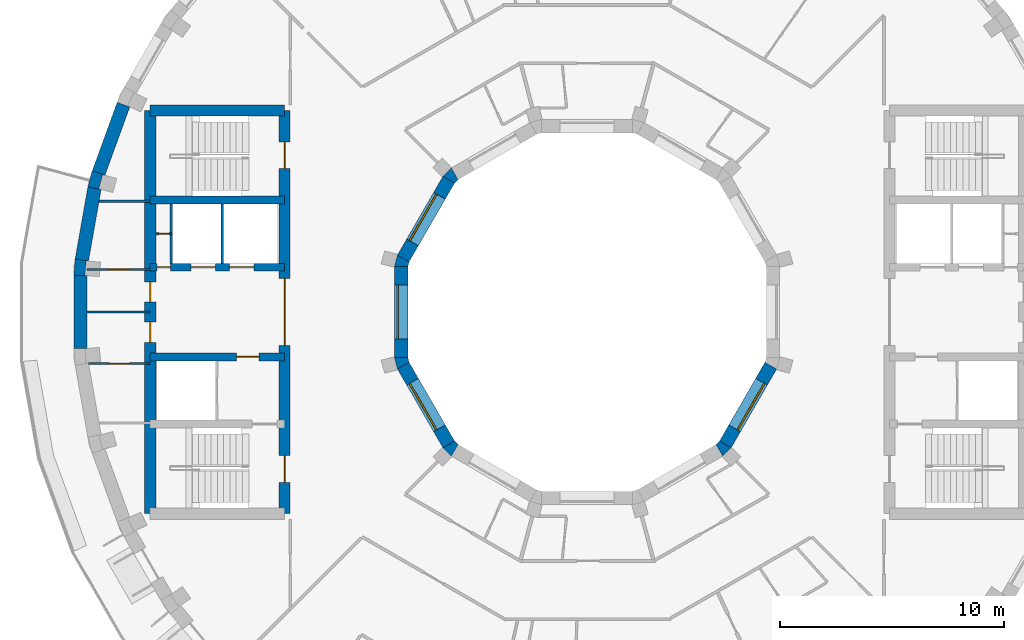
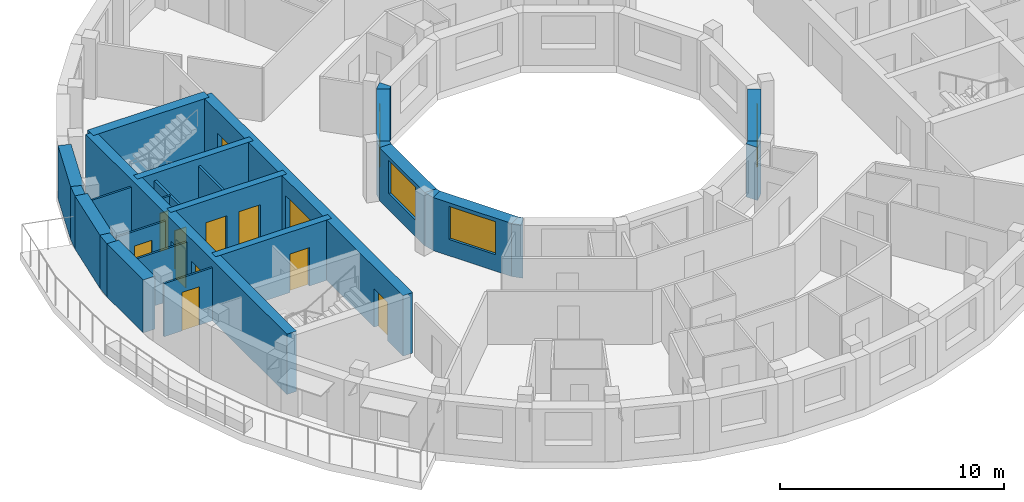
# One storey, part 4 of 10: 27 walls, 12 doors, 4 windows, 16 openings.
"""IFC4 building model written with IfcOpenShell, lengths in metres."""

import ifcopenshell
import ifcopenshell.guid

model = None  # the IFC model being written
_history = None  # IfcOwnerHistory: only IFC2X3 demands one
_inside = {}  # id of a spatial element -> (the spatial element, [elements in it])
_under = {}  # id of a project, library or spatial element -> (it, [spatial elements below it])
_declared = {}  # id of a project -> (the project, [libraries it declares])
_typed = {}  # id of a type object -> (the type object, [elements of that type])
_made_of = {}  # id of a material, layer set ... -> (it, [elements and type objects made of it])


def new_model(schema):
    """Start an empty IFC model of exactly this schema.

    Asked for "IFC4X3", IfcOpenShell would pick the latest addendum, in which some entities
    have other attributes; the version numbers below select the first issue.
    IFC2X3 requires an IfcOwnerHistory on every rooted entity: one is made here for all.
    """
    global model, _history
    if schema == "IFC4X3":
        model = ifcopenshell.file(schema_version=(4, 3, 0, 0))
    else:
        model = ifcopenshell.file(schema=schema)
    _inside.clear()
    _under.clear()
    _declared.clear()
    _typed.clear()
    _made_of.clear()
    _history = None
    if model.schema == "IFC2X3":
        org = make("IfcOrganization", Name="unknown")
        user = make(
            "IfcPersonAndOrganization",
            ThePerson=make("IfcPerson", FamilyName="unknown"),
            TheOrganization=org,
        )
        app = make(
            "IfcApplication",
            ApplicationDeveloper=org,
            Version="unknown",
            ApplicationFullName="unknown",
            ApplicationIdentifier="unknown",
        )
        _history = make(
            "IfcOwnerHistory",
            OwningUser=user,
            OwningApplication=app,
            ChangeAction="ADDED",
            CreationDate=0,
        )
    return model


def make(cls, **values):
    """One entity of the class cls with the attributes given. An attribute that is None is left unset."""
    return model.create_entity(
        cls, **{name: value for name, value in values.items() if value is not None}
    )


def rooted(cls, **values):
    """An entity with a GlobalId (a new one), such as an element, a storey or a relation."""
    return make(cls, GlobalId=ifcopenshell.guid.new(), OwnerHistory=_history, **values)


def si_unit(unit_type, name, prefix=None):
    """IfcSIUnit, for example si_unit("LENGTHUNIT", "METRE", prefix="MILLI")."""
    return make("IfcSIUnit", UnitType=unit_type, Prefix=prefix, Name=name)


def assignment(units):
    """IfcUnitAssignment: the units of a project."""
    return None if units is None else make("IfcUnitAssignment", Units=units)


def point(xyz):
    """IfcCartesianPoint."""
    return None if xyz is None else make("IfcCartesianPoint", Coordinates=xyz)


def direction(xyz):
    """IfcDirection."""
    return None if xyz is None else make("IfcDirection", DirectionRatios=xyz)


def frame(location, z_axis=None, x_axis=None):
    """IfcAxis2Placement3D, a coordinate frame: its origin and axes. An axis left out is left unset."""
    return make(
        "IfcAxis2Placement3D",
        Location=point(location),
        Axis=direction(z_axis),
        RefDirection=direction(x_axis),
    )


def frame_2d(location, x_axis=None):
    """IfcAxis2Placement2D, a coordinate frame in the plane: its origin and x axis."""
    return make(
        "IfcAxis2Placement2D", Location=point(location), RefDirection=direction(x_axis)
    )


def origin():
    """The frame at (0, 0, 0) with its axes left unset."""
    return frame((0.0, 0.0, 0.0))


def place(relative_to, where):
    """IfcLocalPlacement: puts the frame where relative to a parent placement (None: the world)."""
    return make(
        "IfcLocalPlacement", PlacementRelTo=relative_to, RelativePlacement=where
    )


def context(
    kind, dimensions, precision=None, world=None, true_north=None, identifier=None
):
    """IfcGeometricRepresentationContext, for example the 3D "Model" context."""
    return make(
        "IfcGeometricRepresentationContext",
        ContextIdentifier=identifier,
        ContextType=kind,
        CoordinateSpaceDimension=dimensions,
        Precision=precision,
        WorldCoordinateSystem=world,
        TrueNorth=true_north,
    )


def subcontext(parent, identifier, kind, view, scale=None):
    """IfcGeometricRepresentationSubContext, for example "Body" below "Model"."""
    return make(
        "IfcGeometricRepresentationSubContext",
        ContextIdentifier=identifier,
        ContextType=kind,
        ParentContext=parent,
        TargetScale=scale,
        TargetView=view,
    )


def project(units=None, contexts=None):
    """IfcProject with its units and contexts."""
    return rooted(
        "IfcProject",
        Name="project",
        RepresentationContexts=contexts,
        UnitsInContext=assignment(units),
    )


def spatial(cls, under=None, at=None, **own):
    """A site, building, storey or space (cls), placed at a placement, below another one or the project."""
    s = rooted(cls, ObjectPlacement=at, **own)
    if under is not None:
        _under.setdefault(under.id(), (under, []))[1].append(s)
    return s


def polyline(points):
    """IfcPolyline through the points."""
    return make("IfcPolyline", Points=[point(p) for p in points])


def profile(cls, at=None, kind="AREA", **sizes):
    """A parametric profile (cls). Its sizes go by their IFC names, for example OverallWidth=200.0."""
    return make(cls, ProfileType=kind, Position=at, **sizes)


def rectangle(**sizes):
    """IfcRectangleProfileDef."""
    return profile("IfcRectangleProfileDef", **sizes)


def outline(outer, holes=None, kind="AREA"):
    """IfcArbitraryClosedProfileDef: a profile drawn as a closed curve; with holes, ...WithVoids."""
    if holes is None:
        return make("IfcArbitraryClosedProfileDef", ProfileType=kind, OuterCurve=outer)
    return make(
        "IfcArbitraryProfileDefWithVoids",
        ProfileType=kind,
        OuterCurve=outer,
        InnerCurves=holes,
    )


def extrude(swept, where, along, depth):
    """IfcExtrudedAreaSolid: the profile swept, set in the frame where, extruded along a direction by depth."""
    return make(
        "IfcExtrudedAreaSolid",
        SweptArea=swept,
        Position=where,
        ExtrudedDirection=direction(along),
        Depth=depth,
    )


def shape(context_of_items, identifier, shape_type, items):
    """IfcShapeRepresentation: the items that make up one representation, for example the "Body"."""
    return make(
        "IfcShapeRepresentation",
        ContextOfItems=context_of_items,
        RepresentationIdentifier=identifier,
        RepresentationType=shape_type,
        Items=items,
    )


def material(Name=None, Category=None):
    """IfcMaterial."""
    return make("IfcMaterial", Name=Name, Category=Category)


def layer(
    of_material, thickness, ventilated=None, Name=None, Category=None, Priority=None
):
    """IfcMaterialLayer: one layer of a wall or slab, of a material (None: an air gap)."""
    return make(
        "IfcMaterialLayer",
        Material=of_material,
        LayerThickness=thickness,
        IsVentilated=ventilated,
        Name=Name,
        Category=Category,
        Priority=Priority,
    )


def layer_set(layers, Name=None):
    """IfcMaterialLayerSet."""
    return make("IfcMaterialLayerSet", MaterialLayers=layers, LayerSetName=Name)


def made_of(thing, what):
    """Note that an element or type object is made of a material, layer set ...; save() writes the relation."""
    if what is not None:
        _made_of.setdefault(what.id(), (what, []))[1].append(thing)
    return thing


def type_object(cls, material=None, **own):
    """A type object (cls), such as IfcWallType, which elements share."""
    return made_of(rooted(cls, **own), material)


def element(
    cls,
    number,
    at=None,
    inside=None,
    cuts=None,
    type_object=None,
    material=None,
    context=None,
    identifier="Body",
    shape_type=None,
    held_by="IfcProductDefinitionShape",
    body=None,
    shapes=None,
    **own,
):
    """One element of the class cls, such as IfcWall. Its Tag is "e" and its number.

    at: its placement. inside: the storey or other place that contains it. cuts: it is an
    opening in that element (IfcRelVoidsElement). A single representation is given by context,
    identifier, shape_type and body (its items); several are given by shapes. held_by: the class
    of the entity that holds the representations. save() writes the other relations.
    """
    e = rooted(cls, Tag="e%d" % number, ObjectPlacement=at, **own)
    if body is not None:
        shapes = [shape(context, identifier, shape_type, body)]
    if shapes is not None:
        e.Representation = make(held_by, Representations=shapes)
    if inside is not None:
        _inside.setdefault(inside.id(), (inside, []))[1].append(e)
    if cuts is not None:
        rooted(
            "IfcRelVoidsElement", RelatingBuildingElement=cuts, RelatedOpeningElement=e
        )
    if type_object is not None:
        _typed.setdefault(type_object.id(), (type_object, []))[1].append(e)
    return made_of(e, material)


def fill(opening, filler):
    """IfcRelFillsElement: the door or window that sits in an opening."""
    return rooted(
        "IfcRelFillsElement",
        RelatingOpeningElement=opening,
        RelatedBuildingElement=filler,
    )


def aggregate(whole, parts):
    """IfcRelAggregates: a whole, such as a stair, and the parts it consists of."""
    return rooted("IfcRelAggregates", RelatingObject=whole, RelatedObjects=parts)


def save(model, path):
    """Write the relations noted so far, then the file.

    IfcRelAggregates (storeys below a building ...), IfcRelContainedInSpatialStructure (elements
    in a storey), IfcRelDefinesByType, IfcRelAssociatesMaterial and IfcRelDeclares: one each for
    every whole, place, type object, material and project.
    """
    for whole, parts in _under.values():
        aggregate(whole, parts)
    for where, things in _inside.values():
        rooted(
            "IfcRelContainedInSpatialStructure",
            RelatedElements=things,
            RelatingStructure=where,
        )
    for kind, things in _typed.values():
        rooted("IfcRelDefinesByType", RelatedObjects=things, RelatingType=kind)
    for what, things in _made_of.values():
        rooted("IfcRelAssociatesMaterial", RelatedObjects=things, RelatingMaterial=what)
    for by, libraries in _declared.values():
        rooted("IfcRelDeclares", RelatingContext=by, RelatedDefinitions=libraries)
    model.write(path)


model = new_model("IFC4")

# Units and contexts
model_context = context("Model", 3, precision=1e-05, world=origin(), true_north=direction((0.0, 1.0)))
body_context = subcontext(model_context, "Body", "Model", "MODEL_VIEW")
ifc_project = project(units=[si_unit("LENGTHUNIT", "METRE"), si_unit("AREAUNIT", "SQUARE_METRE"), si_unit("VOLUMEUNIT", "CUBIC_METRE"), si_unit("PLANEANGLEUNIT", "RADIAN"), si_unit("MASSUNIT", "GRAM", prefix="KILO")], contexts=[model_context])

# Site, building, storey
site_placement = place(None, origin())
site = spatial("IfcSite", under=ifc_project, at=site_placement, CompositionType="ELEMENT")
building_placement = place(site_placement, origin())
building = spatial("IfcBuilding", under=site, at=building_placement, Name="Saqina Gate Tower", CompositionType="ELEMENT")
storey_placement = place(building_placement, frame((0.0, 0.0, 256.10009765625)))
storey = spatial("IfcBuildingStorey", under=building, at=storey_placement, Name="L73", CompositionType="ELEMENT", Elevation=256.10009765625)

# Walls
ifc_material_1 = material(Name="Brick masonry (buff)", Category="masonry")
wall_type_1 = type_object("IfcWallType", Name="BRICK PIER COPING BUFF", PredefinedType="SOLIDWALL", material=ifc_material_1)
wall_1_placement = place(storey_placement, origin())
element("IfcWall", 1, at=wall_1_placement, inside=storey, type_object=wall_type_1, Name="Pier cap L73 column 17", PredefinedType="SOLIDWALL", context=body_context, shape_type="SweptSolid", body=[
    extrude(outline(polyline([(-22.281982421875, 5.579833984375), (-21.691162109375, 5.4755859375), (-21.793212890625, 5.5029296875), (-21.625, 6.130859375), (-21.52294921875, 6.103515625), (-22.0869140625, 6.30859375), (-22.281982421875, 5.579833984375)])), origin(), (0.0, 0.0, 1.0), 2.89990234375),
])
wall_2_placement = place(storey_placement, origin())
element("IfcWall", 2, at=wall_2_placement, inside=storey, type_object=wall_type_1, Name="Pier cap L73 column 18", PredefinedType="SOLIDWALL", context=body_context, shape_type="SweptSolid", body=[
    extrude(outline(polyline([(-22.8466796875, 2.377685546875), (-22.91259765625, 1.625732421875), (-22.3125, 1.625732421875), (-22.417724609375, 1.635009765625), (-22.361083984375, 2.28271484375), (-22.255859375, 2.2734375), (-22.8466796875, 2.377685546875)])), origin(), (0.0, 0.0, 1.0), 2.89990234375),
])

# Wall, opening, door
ifc_material_2 = material(Name="Gypsum board on steel studs", Category="steel")
ifc_layer_1 = layer(ifc_material_2, 0.10009765625)
ifc_layer_set_1 = layer_set([ifc_layer_1], Name="CORE PARTITION")
wall_type_2 = type_object("IfcWallType", Name="CORE PARTITION", PredefinedType="PARTITIONING", material=ifc_layer_set_1)
wall_3_placement = place(storey_placement, frame((-18.56005859375, 3.5, 0.0), z_axis=(0.0, 0.0, 1.0), x_axis=(-1.0, 0.0, 0.0)))
wall_3 = element("IfcWall", 3, at=wall_3_placement, inside=storey, type_object=wall_type_2, Name="L73-CP-W01", PredefinedType="PARTITIONING", context=body_context, shape_type="SweptSolid", body=[
    extrude(rectangle(XDim=0.68994140625, YDim=0.10009765625, at=frame_2d((0.344970703125, 0.0))), origin(), (0.0, 0.0, 1.0), 2.89990234375),
])
opening_1_placement = place(wall_3_placement, frame((0.10009765625, 0.0, 0.0)))
opening_1 = element("IfcOpeningElement", 4, at=opening_1_placement, cuts=wall_3, Name="Opening G21-D107", PredefinedType="OPENING", context=body_context, shape_type="SweptSolid", body=[
    extrude(rectangle(XDim=0.449951171875, YDim=2.10009765625, at=frame_2d((0.22509765625, 1.050048828125))), frame((0.0, 0.06201171875, 0.0), z_axis=(0.0, -1.0, 0.0), x_axis=(1.0, 0.0, 0.0)), (0.0, 0.0, 1.0), 0.1240234375),
])
ifc_material_3 = material(Name="Steel-framed fire door leaf, EI 60", Category="steel")
door_type_1 = type_object("IfcDoorType", Name="SERVICE ROOM DOOR 450", OperationType="SINGLE_SWING_LEFT", PredefinedType="DOOR", material=ifc_material_3)
door_1_placement = place(opening_1_placement, origin())
door_1 = element("IfcDoor", 5, at=door_1_placement, inside=storey, type_object=door_type_1, Name="L73-CD-W18", OperationType="SINGLE_SWING_RIGHT", OverallHeight=2.10009765625, OverallWidth=0.449951171875, PredefinedType="DOOR", context=body_context, shape_type="SweptSolid", body=[
    extrude(rectangle(XDim=0.449951171875, YDim=2.10009765625, at=frame_2d((0.22509765625, 1.050048828125))), frame((0.0, 0.02490234375, 0.0), z_axis=(0.0, -1.0, 0.0), x_axis=(1.0, 0.0, 0.0)), (0.0, 0.0, 1.0), 0.050048828125),
])
fill(opening_1, door_1)

# Wall
wall_4_placement = place(storey_placement, frame((-19.5, 4.949951171875, 0.0), z_axis=(0.0, 0.0, 1.0), x_axis=(-1.0, 0.0, 0.0)))
element("IfcWall", 6, at=wall_4_placement, inside=storey, type_object=wall_type_2, Name="L73-CP-W02", PredefinedType="PARTITIONING", context=body_context, shape_type="SweptSolid", body=[
    extrude(rectangle(XDim=2.283935546875, YDim=0.10009765625, at=frame_2d((1.14208984375, 0.0))), origin(), (0.0, 0.0, 1.0), 2.89990234375),
])

# Wall, opening, door
wall_5_placement = place(storey_placement, frame((-19.5, 1.89990234375, 0.0), z_axis=(0.0, 0.0, 1.0), x_axis=(-1.0, 0.0, 0.0)))
wall_5 = element("IfcWall", 7, at=wall_5_placement, inside=storey, type_object=wall_type_2, Name="L73-CP-W03", PredefinedType="PARTITIONING", context=body_context, shape_type="SweptSolid", body=[
    extrude(rectangle(XDim=2.8125, YDim=0.10009765625, at=frame_2d((1.40625, 0.0))), origin(), (0.0, 0.0, 1.0), 2.89990234375),
])
opening_2_placement = place(wall_5_placement, frame((0.956298828125, 0.0, 0.0)))
opening_2 = element("IfcOpeningElement", 8, at=opening_2_placement, cuts=wall_5, Name="Opening G21-D103", PredefinedType="OPENING", context=body_context, shape_type="SweptSolid", body=[
    extrude(rectangle(XDim=0.89990234375, YDim=2.10009765625, at=frame_2d((0.449951171875, 1.050048828125))), frame((0.0, 0.06201171875, 0.0), z_axis=(0.0, -1.0, 0.0), x_axis=(1.0, 0.0, 0.0)), (0.0, 0.0, 1.0), 0.1240234375),
])
ifc_material_4 = material(Name="Steel-framed fire door leaf, EI 60", Category="steel")
door_type_2 = type_object("IfcDoorType", Name="SERVICE ROOM DOOR 900", OperationType="SINGLE_SWING_LEFT", PredefinedType="DOOR", material=ifc_material_4)
door_2_placement = place(opening_2_placement, frame((0.89990234375, 0.0, 0.0), z_axis=(0.0, 0.0, 1.0), x_axis=(-1.0, 0.0, 0.0)))
door_2 = element("IfcDoor", 9, at=door_2_placement, inside=storey, type_object=door_type_2, Name="L73-CD-W14", OperationType="SINGLE_SWING_LEFT", OverallHeight=2.10009765625, OverallWidth=0.89990234375, PredefinedType="DOOR", context=body_context, shape_type="SweptSolid", body=[
    extrude(rectangle(XDim=0.89990234375, YDim=2.10009765625, at=frame_2d((0.449951171875, 1.050048828125))), frame((0.0, 0.02490234375, 0.0), z_axis=(0.0, -1.0, 0.0), x_axis=(1.0, 0.0, 0.0)), (0.0, 0.0, 1.0), 0.050048828125),
])
fill(opening_2, door_2)

wall_6_placement = place(storey_placement, frame((-19.5, -2.300048828125, 0.0), z_axis=(0.0, 0.0, 1.0), x_axis=(-1.0, 0.0, 0.0)))
wall_6 = element("IfcWall", 10, at=wall_6_placement, inside=storey, type_object=wall_type_2, Name="L73-CP-W05", PredefinedType="PARTITIONING", context=body_context, shape_type="SweptSolid", body=[
    extrude(rectangle(XDim=2.751220703125, YDim=0.10009765625, at=frame_2d((1.37548828125, 0.0))), origin(), (0.0, 0.0, 1.0), 2.89990234375),
])
opening_3_placement = place(wall_6_placement, frame((0.925537109375, 0.0, 0.0)))
opening_3 = element("IfcOpeningElement", 11, at=opening_3_placement, cuts=wall_6, Name="Opening G21-D105", PredefinedType="OPENING", context=body_context, shape_type="SweptSolid", body=[
    extrude(rectangle(XDim=0.89990234375, YDim=2.10009765625, at=frame_2d((0.449951171875, 1.050048828125))), frame((0.0, 0.06201171875, 0.0), z_axis=(0.0, -1.0, 0.0), x_axis=(1.0, 0.0, 0.0)), (0.0, 0.0, 1.0), 0.1240234375),
])
door_3_placement = place(opening_3_placement, origin())
door_3 = element("IfcDoor", 12, at=door_3_placement, inside=storey, type_object=door_type_2, Name="L73-CD-W16", OperationType="SINGLE_SWING_LEFT", OverallHeight=2.10009765625, OverallWidth=0.89990234375, PredefinedType="DOOR", context=body_context, shape_type="SweptSolid", body=[
    extrude(rectangle(XDim=0.89990234375, YDim=2.10009765625, at=frame_2d((0.449951171875, 1.050048828125))), frame((0.0, 0.02490234375, 0.0), z_axis=(0.0, -1.0, 0.0), x_axis=(1.0, 0.0, 0.0)), (0.0, 0.0, 1.0), 0.050048828125),
])
fill(opening_3, door_3)

# Walls
wall_7_placement = place(storey_placement, frame((-19.5, 0.0, 0.0), z_axis=(0.0, 0.0, 1.0), x_axis=(-1.0, 0.0, 0.0)))
element("IfcWall", 13, at=wall_7_placement, inside=storey, type_object=wall_type_2, Name="L73-CP-W06", PredefinedType="PARTITIONING", context=body_context, shape_type="SweptSolid", body=[
    extrude(rectangle(XDim=2.8125, YDim=0.10009765625, at=frame_2d((1.40625, 0.0))), origin(), (0.0, 0.0, 1.0), 2.89990234375),
])
ifc_material_5 = material(Name="Glazed ceramic tile", Category="ceramic")
ifc_layer_2 = layer(ifc_material_5, 0.60009765625)
ifc_layer_set_2 = layer_set([ifc_layer_2], Name="FW-TILE")
wall_type_3 = type_object("IfcWallType", Name="FW-TILE", PredefinedType="SOLIDWALL", material=ifc_layer_set_2)
wall_8_placement = place(storey_placement, frame((-20.692626953125, 9.26171875, 0.0), z_axis=(0.0, 0.0, 1.0), x_axis=(-0.342056509473, -0.939679383794, 0.0)))
element("IfcWall", 14, at=wall_8_placement, inside=storey, type_object=wall_type_3, Name="Facade wall L73 facet 16", PredefinedType="SOLIDWALL", context=body_context, shape_type="SweptSolid", body=[
    extrude(rectangle(XDim=3.251708984375, YDim=0.60009765625, at=frame_2d((1.6259765625, 0.0))), origin(), (0.0, 0.0, 1.0), 2.89990234375),
])
wall_9_placement = place(storey_placement, frame((-22.612548828125, 1.625732421875, 0.0), z_axis=(0.0, 0.0, 1.0), x_axis=(0.0, -1.0, 0.0)))
element("IfcWall", 15, at=wall_9_placement, inside=storey, type_object=wall_type_3, Name="Facade wall L73 facet 18", PredefinedType="SOLIDWALL", context=body_context, shape_type="SweptSolid", body=[
    extrude(rectangle(XDim=3.25146484375, YDim=0.60009765625, at=frame_2d((1.625732421875, 0.0))), origin(), (0.0, 0.0, 1.0), 2.89990234375),
])
ifc_material_6 = material(Name="Glazed ceramic tile (dark blue)", Category="ceramic")
ifc_layer_3 = layer(ifc_material_6, 0.60009765625)
ifc_layer_set_3 = layer_set([ifc_layer_3], Name="FW-TILE-CB")
wall_type_4 = type_object("IfcWallType", Name="FW-TILE-CB", PredefinedType="SOLIDWALL", material=ifc_layer_set_3)
wall_10_placement = place(storey_placement, frame((-21.986572265625, 5.52783203125, 0.0), z_axis=(0.0, 0.0, 1.0), x_axis=(-0.173656842178, -0.984806225186, 0.0)))
element("IfcWall", 16, at=wall_10_placement, inside=storey, type_object=wall_type_4, Name="Facade wall L73 facet 17", PredefinedType="SOLIDWALL", context=body_context, shape_type="SweptSolid", body=[
    extrude(rectangle(XDim=3.251708984375, YDim=0.60009765625, at=frame_2d((1.6259765625, 0.0))), origin(), (0.0, 0.0, 1.0), 2.89990234375),
])

# Wall, opening, window
ifc_material_7 = material(Name="Glazed ceramic tile", Category="ceramic")
ifc_layer_4 = layer(ifc_material_7, 0.60009765625)
ifc_layer_set_4 = layer_set([ifc_layer_4], Name="IW-TILE")
wall_type_5 = type_object("IfcWallType", Name="IW-TILE", PredefinedType="SOLIDWALL", material=ifc_layer_set_4)
wall_11_placement = place(storey_placement, frame((-6.17333984375, 5.907470703125, 0.0), z_axis=(0.0, 0.0, 1.0), x_axis=(-0.499994954979, -0.866028316509, 0.0)))
wall_11 = element("IfcWall", 17, at=wall_11_placement, inside=storey, type_object=wall_type_5, Name="Well wall L73 facet 5", PredefinedType="SOLIDWALL", context=body_context, shape_type="SweptSolid", body=[
    extrude(rectangle(XDim=4.05859375, YDim=0.60009765625, at=frame_2d((2.029296875, 0.0))), origin(), (0.0, 0.0, 1.0), 2.89990234375),
])
opening_4_placement = place(wall_11_placement, frame((0.829345703125, 0.0, 0.89990234375)))
opening_4 = element("IfcOpeningElement", 18, at=opening_4_placement, cuts=wall_11, Name="Opening G21-W29", PredefinedType="OPENING", context=body_context, shape_type="SweptSolid", body=[
    extrude(rectangle(XDim=2.39990234375, YDim=1.800048828125, at=frame_2d((1.199951171875, 0.89990234375))), frame((0.0, 0.31201171875, 0.0), z_axis=(0.0, -1.0, 0.0), x_axis=(1.0, 0.0, 0.0)), (0.0, 0.0, 1.0), 0.6240234375),
])
ifc_material_8 = material(Name="Aluminium glazing", Category="aluminium")
window_type = type_object("IfcWindowType", Name="WN-W", PartitioningType="SINGLE_PANEL", PredefinedType="WINDOW", material=ifc_material_8)
window_1_placement = place(opening_4_placement, origin())
window_1 = element("IfcWindow", 19, at=window_1_placement, inside=storey, type_object=window_type, Name="Well window L73 facet 5", OverallHeight=1.800048828125, OverallWidth=2.39990234375, PartitioningType="SINGLE_PANEL", PredefinedType="WINDOW", context=body_context, shape_type="SweptSolid", body=[
    extrude(rectangle(XDim=2.39990234375, YDim=1.800048828125, at=frame_2d((1.199951171875, 0.89990234375))), frame((0.0, -0.119873046875, 0.0), z_axis=(0.0, -1.0, 0.0), x_axis=(1.0, 0.0, 0.0)), (0.0, 0.0, 1.0), 0.06005859375),
])
fill(opening_4, window_1)

wall_12_placement = place(storey_placement, frame((-8.300048828125, 2.029296875, 0.0), z_axis=(0.0, 0.0, 1.0), x_axis=(0.0, -1.0, 0.0)))
wall_12 = element("IfcWall", 20, at=wall_12_placement, inside=storey, type_object=wall_type_5, Name="Well wall L73 facet 6", PredefinedType="SOLIDWALL", context=body_context, shape_type="SweptSolid", body=[
    extrude(rectangle(XDim=4.05859375, YDim=0.60009765625, at=frame_2d((2.029296875, 0.0))), origin(), (0.0, 0.0, 1.0), 2.89990234375),
])
opening_5_placement = place(wall_12_placement, frame((0.829345703125, 0.0, 0.89990234375)))
opening_5 = element("IfcOpeningElement", 21, at=opening_5_placement, cuts=wall_12, Name="Opening G21-W30", PredefinedType="OPENING", context=body_context, shape_type="SweptSolid", body=[
    extrude(rectangle(XDim=2.39990234375, YDim=1.800048828125, at=frame_2d((1.199951171875, 0.89990234375))), frame((0.0, 0.31201171875, 0.0), z_axis=(0.0, -1.0, 0.0), x_axis=(1.0, 0.0, 0.0)), (0.0, 0.0, 1.0), 0.6240234375),
])
window_2_placement = place(opening_5_placement, origin())
window_2 = element("IfcWindow", 22, at=window_2_placement, inside=storey, type_object=window_type, Name="Well window L73 facet 6", OverallHeight=1.800048828125, OverallWidth=2.39990234375, PartitioningType="SINGLE_PANEL", PredefinedType="WINDOW", context=body_context, shape_type="SweptSolid", body=[
    extrude(rectangle(XDim=2.39990234375, YDim=1.800048828125, at=frame_2d((1.199951171875, 0.89990234375))), frame((0.0, -0.119873046875, 0.0), z_axis=(0.0, -1.0, 0.0), x_axis=(1.0, 0.0, 0.0)), (0.0, 0.0, 1.0), 0.06005859375),
])
fill(opening_5, window_2)

wall_13_placement = place(storey_placement, frame((-8.20263671875, -2.392578125, 0.0), z_axis=(0.0, 0.0, 1.0), x_axis=(0.499994954979, -0.866028316509, 0.0)))
wall_13 = element("IfcWall", 23, at=wall_13_placement, inside=storey, type_object=wall_type_5, Name="Well wall L73 facet 7", PredefinedType="SOLIDWALL", context=body_context, shape_type="SweptSolid", body=[
    extrude(rectangle(XDim=4.05859375, YDim=0.60009765625, at=frame_2d((2.029296875, 0.0))), origin(), (0.0, 0.0, 1.0), 2.89990234375),
])
opening_6_placement = place(wall_13_placement, frame((0.829345703125, 0.0, 0.89990234375)))
opening_6 = element("IfcOpeningElement", 24, at=opening_6_placement, cuts=wall_13, Name="Opening G21-W31", PredefinedType="OPENING", context=body_context, shape_type="SweptSolid", body=[
    extrude(rectangle(XDim=2.39990234375, YDim=1.800048828125, at=frame_2d((1.199951171875, 0.89990234375))), frame((0.0, 0.31201171875, 0.0), z_axis=(0.0, -1.0, 0.0), x_axis=(1.0, 0.0, 0.0)), (0.0, 0.0, 1.0), 0.6240234375),
])
window_3_placement = place(opening_6_placement, origin())
window_3 = element("IfcWindow", 25, at=window_3_placement, inside=storey, type_object=window_type, Name="Well window L73 facet 7", OverallHeight=1.800048828125, OverallWidth=2.39990234375, PartitioningType="SINGLE_PANEL", PredefinedType="WINDOW", context=body_context, shape_type="SweptSolid", body=[
    extrude(rectangle(XDim=2.39990234375, YDim=1.800048828125, at=frame_2d((1.199951171875, 0.89990234375))), frame((0.0, -0.119873046875, 0.0), z_axis=(0.0, -1.0, 0.0), x_axis=(1.0, 0.0, 0.0)), (0.0, 0.0, 1.0), 0.06005859375),
])
fill(opening_6, window_3)

wall_14_placement = place(storey_placement, frame((6.17333984375, -5.907470703125, 0.0), z_axis=(0.0, 0.0, 1.0), x_axis=(0.499994954979, 0.866028316509, 0.0)))
wall_14 = element("IfcWall", 26, at=wall_14_placement, inside=storey, type_object=wall_type_5, Name="Well wall L73 facet 11", PredefinedType="SOLIDWALL", context=body_context, shape_type="SweptSolid", body=[
    extrude(rectangle(XDim=4.05859375, YDim=0.60009765625, at=frame_2d((2.029296875, 0.0))), origin(), (0.0, 0.0, 1.0), 2.89990234375),
])
opening_7_placement = place(wall_14_placement, frame((0.829345703125, 0.0, 0.89990234375)))
opening_7 = element("IfcOpeningElement", 27, at=opening_7_placement, cuts=wall_14, Name="Opening G21-W35", PredefinedType="OPENING", context=body_context, shape_type="SweptSolid", body=[
    extrude(rectangle(XDim=2.39990234375, YDim=1.800048828125, at=frame_2d((1.199951171875, 0.89990234375))), frame((0.0, 0.31201171875, 0.0), z_axis=(0.0, -1.0, 0.0), x_axis=(1.0, 0.0, 0.0)), (0.0, 0.0, 1.0), 0.6240234375),
])
window_4_placement = place(opening_7_placement, origin())
window_4 = element("IfcWindow", 28, at=window_4_placement, inside=storey, type_object=window_type, Name="Well window L73 facet 11", OverallHeight=1.800048828125, OverallWidth=2.39990234375, PartitioningType="SINGLE_PANEL", PredefinedType="WINDOW", context=body_context, shape_type="SweptSolid", body=[
    extrude(rectangle(XDim=2.39990234375, YDim=1.800048828125, at=frame_2d((1.199951171875, 0.89990234375))), frame((0.0, -0.119873046875, 0.0), z_axis=(0.0, -1.0, 0.0), x_axis=(1.0, 0.0, 0.0)), (0.0, 0.0, 1.0), 0.06005859375),
])
fill(opening_7, window_4)

# Walls
ifc_material_9 = material(Name="Autoclaved aerated concrete block", Category="concrete")
ifc_layer_5 = layer(ifc_material_9, 0.1201171875)
ifc_layer_set_5 = layer_set([ifc_layer_5], Name="SHAFT PARTITION")
wall_type_6 = type_object("IfcWallType", Name="SHAFT PARTITION", PredefinedType="PARTITIONING", material=ifc_layer_set_5)
for number, where, z_axis, x_axis, name in (
    (29, (-16.280029296875, 2.175048828125, 0.0), (0.0, 0.0, 1.0), (0.0, 1.0, 0.0), "L73-CP-W07"),
    (30, (-18.56005859375, 2.175048828125, 0.0), (0.0, 0.0, 1.0), (0.0, 1.0, 0.0), "L73-CP-W08"),
):
    element("IfcWall", number, at=place(storey_placement, frame(where, z_axis=z_axis, x_axis=x_axis)), inside=storey, type_object=wall_type_6, Name=name, PredefinedType="PARTITIONING", context=body_context, shape_type="SweptSolid", body=[
        extrude(rectangle(XDim=2.64990234375, YDim=0.1201171875, at=frame_2d((1.324951171875, 0.0))), origin(), (0.0, 0.0, 1.0), 2.89990234375),
    ])
ifc_material_10 = material(Name="Concrete C60/75", Category="concrete")
ifc_layer_6 = layer(ifc_material_10, 0.35009765625)
ifc_layer_set_6 = layer_set([ifc_layer_6], Name="Concrete C60/75")
wall_type_7 = type_object("IfcWallType", Name="STR-CORE WALL-D-I", PredefinedType="SHEAR", material=ifc_layer_set_6)
wall_15_placement = place(storey_placement, frame((-13.5, 5.0, 0.0), z_axis=(0.0, 0.0, 1.0), x_axis=(-1.0, 0.0, 0.0)))
element("IfcWall", 31, at=wall_15_placement, inside=storey, type_object=wall_type_7, Name="CORE WALL L73 W-X1", PredefinedType="SHEAR", context=body_context, shape_type="SweptSolid", body=[
    extrude(rectangle(XDim=6.0, YDim=0.35009765625, at=frame_2d((3.0, 0.0))), origin(), (0.0, 0.0, 1.0), 3.2998046875),
])

# Wall, openings, doors
wall_16_placement = place(storey_placement, frame((-13.5, 2.0, 0.0), z_axis=(0.0, 0.0, 1.0), x_axis=(-1.0, 0.0, 0.0)))
wall_16 = element("IfcWall", 32, at=wall_16_placement, inside=storey, type_object=wall_type_7, Name="CORE WALL L73 W-L1", PredefinedType="SHEAR", context=body_context, shape_type="SweptSolid", body=[
    extrude(rectangle(XDim=6.0, YDim=0.35009765625, at=frame_2d((3.0, 0.0))), origin(), (0.0, 0.0, 1.0), 3.2998046875),
])
opening_8_placement = place(wall_16_placement, frame((1.3701171875, 0.0, 0.0)))
opening_8 = element("IfcOpeningElement", 33, at=opening_8_placement, cuts=wall_16, Name="Opening G21-LD4", PredefinedType="OPENING", context=body_context, shape_type="SweptSolid", body=[
    extrude(rectangle(XDim=1.10009765625, YDim=2.10009765625, at=frame_2d((0.550048828125, 1.050048828125))), frame((0.0, 0.18701171875, 0.0), z_axis=(0.0, -1.0, 0.0), x_axis=(1.0, 0.0, 0.0)), (0.0, 0.0, 1.0), 0.3740234375),
])
opening_9_placement = place(wall_16_placement, frame((3.090087890625, 0.0, 0.0)))
opening_9 = element("IfcOpeningElement", 34, at=opening_9_placement, cuts=wall_16, Name="Opening G21-LD5", PredefinedType="OPENING", context=body_context, shape_type="SweptSolid", body=[
    extrude(rectangle(XDim=1.10009765625, YDim=2.10009765625, at=frame_2d((0.550048828125, 1.050048828125))), frame((0.0, 0.18701171875, 0.0), z_axis=(0.0, -1.0, 0.0), x_axis=(1.0, 0.0, 0.0)), (0.0, 0.0, 1.0), 0.3740234375),
])
opening_10_placement = place(wall_16_placement, frame((5.10498046875, 0.0, 0.0)))
opening_10 = element("IfcOpeningElement", 35, at=opening_10_placement, cuts=wall_16, Name="Opening G21-D101", PredefinedType="OPENING", context=body_context, shape_type="SweptSolid", body=[
    extrude(rectangle(XDim=0.60009765625, YDim=2.10009765625, at=frame_2d((0.300048828125, 1.050048828125))), frame((0.0, 0.18701171875, 0.0), z_axis=(0.0, -1.0, 0.0), x_axis=(1.0, 0.0, 0.0)), (0.0, 0.0, 1.0), 0.3740234375),
])
ifc_material_11 = material(Name="Stainless steel", Category="steel")
door_type_3 = type_object("IfcDoorType", Name="LANDING DOOR", OperationType="DOUBLE_DOOR_SLIDING", PredefinedType="DOOR", material=ifc_material_11)
door_4_placement = place(opening_8_placement, origin())
door_4 = element("IfcDoor", 36, at=door_4_placement, inside=storey, type_object=door_type_3, Name="LANDING DOOR HR3", OperationType="DOUBLE_DOOR_SLIDING", OverallHeight=2.10009765625, OverallWidth=1.10009765625, PredefinedType="DOOR", context=body_context, shape_type="SweptSolid", body=[
    extrude(rectangle(XDim=1.10009765625, YDim=2.10009765625, at=frame_2d((0.550048828125, 1.050048828125))), frame((0.0, 0.02490234375, 0.0), z_axis=(0.0, -1.0, 0.0), x_axis=(1.0, 0.0, 0.0)), (0.0, 0.0, 1.0), 0.050048828125),
])
fill(opening_8, door_4)
door_5_placement = place(opening_9_placement, origin())
door_5 = element("IfcDoor", 37, at=door_5_placement, inside=storey, type_object=door_type_3, Name="LANDING DOOR HR4", OperationType="DOUBLE_DOOR_SLIDING", OverallHeight=2.10009765625, OverallWidth=1.10009765625, PredefinedType="DOOR", context=body_context, shape_type="SweptSolid", body=[
    extrude(rectangle(XDim=1.10009765625, YDim=2.10009765625, at=frame_2d((0.550048828125, 1.050048828125))), frame((0.0, 0.02490234375, 0.0), z_axis=(0.0, -1.0, 0.0), x_axis=(1.0, 0.0, 0.0)), (0.0, 0.0, 1.0), 0.050048828125),
])
fill(opening_9, door_5)
ifc_material_12 = material(Name="Steel-framed fire door leaf, EI 60", Category="steel")
door_type_4 = type_object("IfcDoorType", Name="SERVICE ROOM DOOR 600", OperationType="SINGLE_SWING_LEFT", PredefinedType="DOOR", material=ifc_material_12)
door_6_placement = place(opening_10_placement, frame((0.60009765625, 0.0, 0.0), z_axis=(0.0, 0.0, 1.0), x_axis=(-1.0, 0.0, 0.0)))
door_6 = element("IfcDoor", 38, at=door_6_placement, inside=storey, type_object=door_type_4, Name="L73-CD-W12", OperationType="SINGLE_SWING_LEFT", OverallHeight=2.10009765625, OverallWidth=0.60009765625, PredefinedType="DOOR", context=body_context, shape_type="SweptSolid", body=[
    extrude(rectangle(XDim=0.60009765625, YDim=2.10009765625, at=frame_2d((0.300048828125, 1.050048828125))), frame((0.0, 0.02490234375, 0.0), z_axis=(0.0, -1.0, 0.0), x_axis=(1.0, 0.0, 0.0)), (0.0, 0.0, 1.0), 0.050048828125),
])
fill(opening_10, door_6)

# Wall, opening, door
wall_17_placement = place(storey_placement, frame((-13.5, -2.0, 0.0), z_axis=(0.0, 0.0, 1.0), x_axis=(-1.0, 0.0, 0.0)))
wall_17 = element("IfcWall", 39, at=wall_17_placement, inside=storey, type_object=wall_type_7, Name="CORE WALL L73 W-L2", PredefinedType="SHEAR", context=body_context, shape_type="SweptSolid", body=[
    extrude(rectangle(XDim=6.0, YDim=0.35009765625, at=frame_2d((3.0, 0.0))), origin(), (0.0, 0.0, 1.0), 3.2998046875),
])
opening_11_placement = place(wall_17_placement, frame((1.139892578125, 0.0, 0.0)))
opening_11 = element("IfcOpeningElement", 40, at=opening_11_placement, cuts=wall_17, Name="Opening G21-D102", PredefinedType="OPENING", context=body_context, shape_type="SweptSolid", body=[
    extrude(rectangle(XDim=1.0, YDim=2.10009765625, at=frame_2d((0.5, 1.050048828125))), frame((0.0, 0.18701171875, 0.0), z_axis=(0.0, -1.0, 0.0), x_axis=(1.0, 0.0, 0.0)), (0.0, 0.0, 1.0), 0.3740234375),
])
ifc_material_13 = material(Name="Steel", Category="steel")
door_type_5 = type_object("IfcDoorType", Name="FIRE LOBBY DOOR EI 60", OperationType="SINGLE_SWING_LEFT", PredefinedType="DOOR", material=ifc_material_13)
door_7_placement = place(opening_11_placement, frame((1.0, 0.0, 0.0), z_axis=(0.0, 0.0, 1.0), x_axis=(-1.0, 0.0, 0.0)))
door_7 = element("IfcDoor", 41, at=door_7_placement, inside=storey, type_object=door_type_5, Name="L73-CD-W13", OperationType="SINGLE_SWING_RIGHT", OverallHeight=2.10009765625, OverallWidth=1.0, PredefinedType="DOOR", context=body_context, shape_type="SweptSolid", body=[
    extrude(rectangle(XDim=1.0, YDim=2.10009765625, at=frame_2d((0.5, 1.050048828125))), frame((0.0, 0.02490234375, 0.0), z_axis=(0.0, -1.0, 0.0), x_axis=(1.0, 0.0, 0.0)), (0.0, 0.0, 1.0), 0.050048828125),
])
fill(opening_11, door_7)

# Wall, openings, doors
ifc_material_14 = material(Name="Concrete C60/75", Category="concrete")
ifc_layer_7 = layer(ifc_material_14, 0.5)
ifc_layer_set_7 = layer_set([ifc_layer_7], Name="Concrete C60/75")
wall_type_8 = type_object("IfcWallType", Name="STR-CORE WALL-D-O", PredefinedType="SHEAR", material=ifc_layer_set_7)
wall_18_placement = place(storey_placement, frame((-13.5, -9.0, 0.0), z_axis=(0.0, 0.0, 1.0), x_axis=(0.0, 1.0, 0.0)))
wall_18 = element("IfcWall", 42, at=wall_18_placement, inside=storey, type_object=wall_type_8, Name="CORE WALL L73 W-W1", PredefinedType="SHEAR", context=body_context, shape_type="SweptSolid", body=[
    extrude(rectangle(XDim=18.0, YDim=0.5, at=frame_2d((9.0, 0.0))), origin(), (0.0, 0.0, 1.0), 3.2998046875),
])
opening_12_placement = place(wall_18_placement, frame((15.39990234375, 0.0, 0.0)))
opening_12 = element("IfcOpeningElement", 43, at=opening_12_placement, cuts=wall_18, Name="Opening G21-D109", PredefinedType="OPENING", context=body_context, shape_type="SweptSolid", body=[
    extrude(rectangle(XDim=1.199951171875, YDim=2.10009765625, at=frame_2d((0.60009765625, 1.050048828125))), frame((0.0, 0.261962890625, 0.0), z_axis=(0.0, -1.0, 0.0), x_axis=(1.0, 0.0, 0.0)), (0.0, 0.0, 1.0), 0.52392578125),
])
opening_13_placement = place(wall_18_placement, frame((1.39990234375, 0.0, 0.0)))
opening_13 = element("IfcOpeningElement", 44, at=opening_13_placement, cuts=wall_18, Name="Opening G21-D110", PredefinedType="OPENING", context=body_context, shape_type="SweptSolid", body=[
    extrude(rectangle(XDim=1.199951171875, YDim=2.10009765625, at=frame_2d((0.60009765625, 1.050048828125))), frame((0.0, 0.261962890625, 0.0), z_axis=(0.0, -1.0, 0.0), x_axis=(1.0, 0.0, 0.0)), (0.0, 0.0, 1.0), 0.52392578125),
])
opening_14_placement = place(wall_18_placement, frame((7.5, 0.0, 0.0)))
opening_14 = element("IfcOpeningElement", 45, at=opening_14_placement, cuts=wall_18, Name="Opening G21-D111", PredefinedType="OPENING", context=body_context, shape_type="SweptSolid", body=[
    extrude(rectangle(XDim=3.0, YDim=2.39990234375, at=frame_2d((1.5, 1.199951171875))), frame((0.0, 0.261962890625, 0.0), z_axis=(0.0, -1.0, 0.0), x_axis=(1.0, 0.0, 0.0)), (0.0, 0.0, 1.0), 0.52392578125),
])
ifc_material_15 = material(Name="Steel", Category="steel")
door_type_6 = type_object("IfcDoorType", Name="FIRE DOOR EI 60", OperationType="SINGLE_SWING_LEFT", PredefinedType="DOOR", material=ifc_material_15)
door_8_placement = place(opening_12_placement, origin())
door_8 = element("IfcDoor", 46, at=door_8_placement, inside=storey, type_object=door_type_6, Name="L73-CD-W20", OperationType="SINGLE_SWING_RIGHT", OverallHeight=2.10009765625, OverallWidth=1.199951171875, PredefinedType="DOOR", context=body_context, shape_type="SweptSolid", body=[
    extrude(rectangle(XDim=1.199951171875, YDim=2.10009765625, at=frame_2d((0.60009765625, 1.050048828125))), frame((0.0, 0.02490234375, 0.0), z_axis=(0.0, -1.0, 0.0), x_axis=(1.0, 0.0, 0.0)), (0.0, 0.0, 1.0), 0.050048828125),
])
fill(opening_12, door_8)
door_9_placement = place(opening_13_placement, origin())
door_9 = element("IfcDoor", 47, at=door_9_placement, inside=storey, type_object=door_type_6, Name="L73-CD-W21", OperationType="SINGLE_SWING_LEFT", OverallHeight=2.10009765625, OverallWidth=1.199951171875, PredefinedType="DOOR", context=body_context, shape_type="SweptSolid", body=[
    extrude(rectangle(XDim=1.199951171875, YDim=2.10009765625, at=frame_2d((0.60009765625, 1.050048828125))), frame((0.0, 0.02490234375, 0.0), z_axis=(0.0, -1.0, 0.0), x_axis=(1.0, 0.0, 0.0)), (0.0, 0.0, 1.0), 0.050048828125),
])
fill(opening_13, door_9)
ifc_material_16 = material(Name="Steel and fire-resisting glass", Category="steel")
door_type_7 = type_object("IfcDoorType", Name="LOBBY SCREEN DOOR", OperationType="DOUBLE_DOOR_SLIDING", PredefinedType="DOOR", material=ifc_material_16)
door_10_placement = place(opening_14_placement, origin())
door_10 = element("IfcDoor", 48, at=door_10_placement, inside=storey, type_object=door_type_7, Name="L73-CD-W22", OperationType="DOUBLE_DOOR_SLIDING", OverallHeight=2.39990234375, OverallWidth=3.0, PredefinedType="DOOR", context=body_context, shape_type="SweptSolid", body=[
    extrude(rectangle(XDim=3.0, YDim=2.39990234375, at=frame_2d((1.5, 1.199951171875))), frame((0.0, 0.02490234375, 0.0), z_axis=(0.0, -1.0, 0.0), x_axis=(1.0, 0.0, 0.0)), (0.0, 0.0, 1.0), 0.050048828125),
])
fill(opening_14, door_10)

wall_19_placement = place(storey_placement, frame((-19.5, -9.0, 0.0), z_axis=(0.0, 0.0, 1.0), x_axis=(0.0, 1.0, 0.0)))
wall_19 = element("IfcWall", 49, at=wall_19_placement, inside=storey, type_object=wall_type_8, Name="CORE WALL L73 W-W2", PredefinedType="SHEAR", context=body_context, shape_type="SweptSolid", body=[
    extrude(rectangle(XDim=18.0, YDim=0.5, at=frame_2d((9.0, 0.0))), origin(), (0.0, 0.0, 1.0), 3.2998046875),
])
opening_15_placement = place(wall_19_placement, frame((9.449951171875, 0.0, 0.0)))
opening_15 = element("IfcOpeningElement", 50, at=opening_15_placement, cuts=wall_19, Name="Opening G21-D104", PredefinedType="OPENING", context=body_context, shape_type="SweptSolid", body=[
    extrude(rectangle(XDim=0.89990234375, YDim=2.10009765625, at=frame_2d((0.449951171875, 1.050048828125))), frame((0.0, 0.261962890625, 0.0), z_axis=(0.0, -1.0, 0.0), x_axis=(1.0, 0.0, 0.0)), (0.0, 0.0, 1.0), 0.52392578125),
])
opening_16_placement = place(wall_19_placement, frame((7.64990234375, 0.0, 0.0)))
opening_16 = element("IfcOpeningElement", 51, at=opening_16_placement, cuts=wall_19, Name="Opening G21-D106", PredefinedType="OPENING", context=body_context, shape_type="SweptSolid", body=[
    extrude(rectangle(XDim=0.89990234375, YDim=2.10009765625, at=frame_2d((0.449951171875, 1.050048828125))), frame((0.0, 0.261962890625, 0.0), z_axis=(0.0, -1.0, 0.0), x_axis=(1.0, 0.0, 0.0)), (0.0, 0.0, 1.0), 0.52392578125),
])
door_11_placement = place(opening_15_placement, origin())
door_11 = element("IfcDoor", 52, at=door_11_placement, inside=storey, type_object=door_type_2, Name="L73-CD-W15", OperationType="SINGLE_SWING_RIGHT", OverallHeight=2.10009765625, OverallWidth=0.89990234375, PredefinedType="DOOR", context=body_context, shape_type="SweptSolid", body=[
    extrude(rectangle(XDim=0.89990234375, YDim=2.10009765625, at=frame_2d((0.449951171875, 1.050048828125))), frame((0.0, 0.02490234375, 0.0), z_axis=(0.0, -1.0, 0.0), x_axis=(1.0, 0.0, 0.0)), (0.0, 0.0, 1.0), 0.050048828125),
])
fill(opening_15, door_11)
door_12_placement = place(opening_16_placement, origin())
door_12 = element("IfcDoor", 53, at=door_12_placement, inside=storey, type_object=door_type_2, Name="L73-CD-W17", OperationType="SINGLE_SWING_RIGHT", OverallHeight=2.10009765625, OverallWidth=0.89990234375, PredefinedType="DOOR", context=body_context, shape_type="SweptSolid", body=[
    extrude(rectangle(XDim=0.89990234375, YDim=2.10009765625, at=frame_2d((0.449951171875, 1.050048828125))), frame((0.0, 0.02490234375, 0.0), z_axis=(0.0, -1.0, 0.0), x_axis=(1.0, 0.0, 0.0)), (0.0, 0.0, 1.0), 0.050048828125),
])
fill(opening_16, door_12)

# Walls
wall_20_placement = place(storey_placement, frame((-13.5, 9.0, 0.0), z_axis=(0.0, 0.0, 1.0), x_axis=(-1.0, 0.0, 0.0)))
element("IfcWall", 54, at=wall_20_placement, inside=storey, type_object=wall_type_8, Name="CORE WALL L73 W-NE", PredefinedType="SHEAR", context=body_context, shape_type="SweptSolid", body=[
    extrude(rectangle(XDim=6.0, YDim=0.5, at=frame_2d((3.0, 0.0))), origin(), (0.0, 0.0, 1.0), 3.2998046875),
])
ifc_material_17 = material(Name="Glazed ceramic tile", Category="ceramic")
wall_type_9 = type_object("IfcWallType", Name="TILE PIER COPING", PredefinedType="SOLIDWALL", material=ifc_material_17)
wall_21_placement = place(storey_placement, origin())
element("IfcWall", 55, at=wall_21_placement, inside=storey, type_object=wall_type_9, Name="Well pier cap L73 column 5", PredefinedType="SOLIDWALL", context=body_context, shape_type="SweptSolid", body=[
    extrude(outline(polyline([(-6.43310546875, 6.0576171875), (-5.91357421875, 5.757568359375), (-5.757568359375, 5.91357421875), (-6.0576171875, 6.43310546875), (-6.43310546875, 6.0576171875)])), origin(), (0.0, 0.0, 1.0), 2.89990234375),
])
wall_22_placement = place(storey_placement, origin())
element("IfcWall", 56, at=wall_22_placement, inside=storey, type_object=wall_type_9, Name="Well pier cap L73 column 6", PredefinedType="SOLIDWALL", context=body_context, shape_type="SweptSolid", body=[
    extrude(outline(polyline([(-8.60009765625, 2.029296875), (-8.0, 2.029296875), (-7.94287109375, 2.242431640625), (-8.46240234375, 2.54248046875), (-8.60009765625, 2.029296875)])), origin(), (0.0, 0.0, 1.0), 2.89990234375),
])
wall_23_placement = place(storey_placement, origin())
element("IfcWall", 57, at=wall_23_placement, inside=storey, type_object=wall_type_9, Name="Well pier cap L73 column 7", PredefinedType="SOLIDWALL", context=body_context, shape_type="SweptSolid", body=[
    extrude(outline(polyline([(-8.46240234375, -2.54248046875), (-7.94287109375, -2.242431640625), (-8.0, -2.029296875), (-8.60009765625, -2.029296875), (-8.46240234375, -2.54248046875)])), origin(), (0.0, 0.0, 1.0), 2.89990234375),
])
wall_24_placement = place(storey_placement, origin())
element("IfcWall", 58, at=wall_24_placement, inside=storey, type_object=wall_type_9, Name="Well pier cap L73 column 8", PredefinedType="SOLIDWALL", context=body_context, shape_type="SweptSolid", body=[
    extrude(outline(polyline([(-6.0576171875, -6.43310546875), (-5.757568359375, -5.91357421875), (-5.91357421875, -5.757568359375), (-6.43310546875, -6.0576171875), (-6.0576171875, -6.43310546875)])), origin(), (0.0, 0.0, 1.0), 2.89990234375),
])
wall_25_placement = place(storey_placement, origin())
element("IfcWall", 59, at=wall_25_placement, inside=storey, type_object=wall_type_9, Name="Well pier cap L73 column 11", PredefinedType="SOLIDWALL", context=body_context, shape_type="SweptSolid", body=[
    extrude(outline(polyline([(6.43310546875, -6.0576171875), (5.91357421875, -5.757568359375), (5.757568359375, -5.91357421875), (6.0576171875, -6.43310546875), (6.43310546875, -6.0576171875)])), origin(), (0.0, 0.0, 1.0), 2.89990234375),
])

save(model, "model.ifc")
